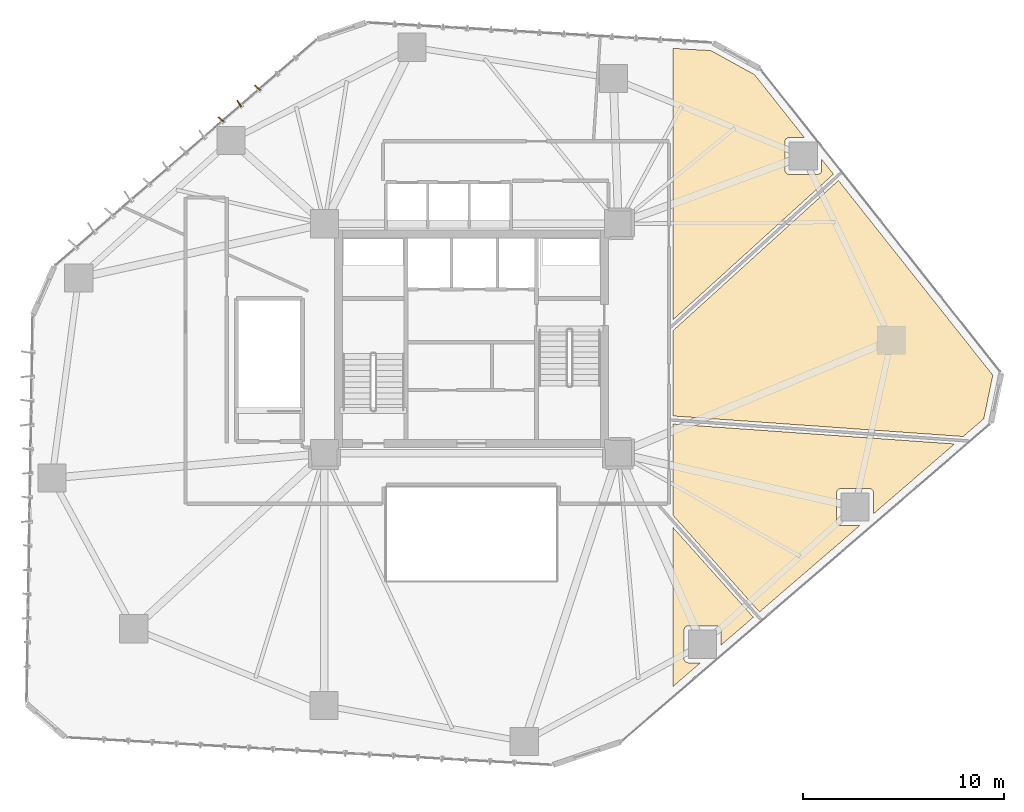
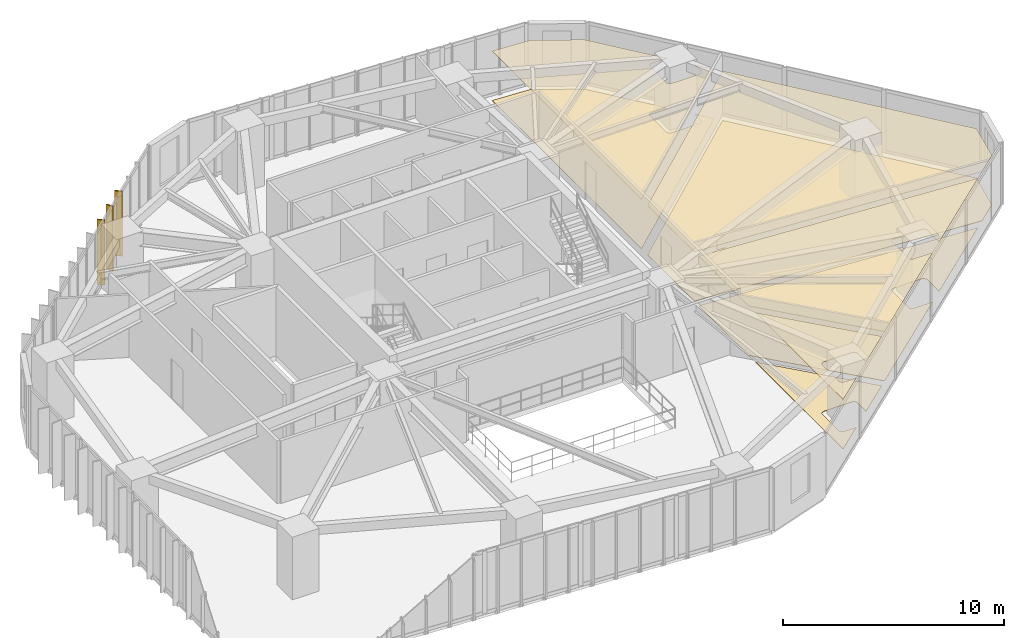
# One storey, part 23 of 24: 8 coverings, 3 shading devices.
"""IFC4 building model written with IfcOpenShell, lengths in metres."""

from ifc_helpers import new_model, si_unit, direction, frame, origin, origin_2d, place, context, subcontext, project, spatial, polyline, rectangle, outline, extrude, source, transform, mapped, material, layer, layer_set, type_object, type_shapes, element, save


model = new_model("IFC4")

# Units and contexts
model_context = context("Model", 3, precision=1e-05, world=origin(), true_north=direction((0.0, 1.0)))
body_context = subcontext(model_context, "Body", "Model", "MODEL_VIEW")
ifc_project = project(units=[si_unit("LENGTHUNIT", "METRE"), si_unit("AREAUNIT", "SQUARE_METRE"), si_unit("VOLUMEUNIT", "CUBIC_METRE"), si_unit("PLANEANGLEUNIT", "RADIAN"), si_unit("MASSUNIT", "GRAM", prefix="KILO")], contexts=[model_context])

# Site, building, storey
site_placement = place(None, origin())
site = spatial("IfcSite", under=ifc_project, at=site_placement, CompositionType="ELEMENT")
building_placement = place(site_placement, origin())
building = spatial("IfcBuilding", under=site, at=building_placement, Name="Talar Marvaseh", CompositionType="ELEMENT")
storey_placement = place(building_placement, frame((0.0, 0.0, 81.0)))
storey = spatial("IfcBuildingStorey", under=building, at=storey_placement, Name="L20", CompositionType="ELEMENT", Elevation=81.0)

# Coverings
ifc_material_1 = material(Name="Mineral Fibre Acoustic Ceiling")
ifc_layer_1 = layer(ifc_material_1, 0.02490234375)
ifc_layer_set_1 = layer_set([ifc_layer_1], Name="Mineral Fibre Acoustic Ceiling")
covering_type_1 = type_object("IfcCoveringType", Name="Perforated Mineral Fibre Acoustic Suspended Ceiling", PredefinedType="CEILING", material=ifc_layer_set_1)
covering_1_placement = place(storey_placement, frame((0.0, 0.0, 2.719970703125)))
element("IfcCovering", 1, at=covering_1_placement, inside=storey, type_object=covering_type_1, Name="L20 Exhibition Gallery Acoustic Ceiling", PredefinedType="CEILING", context=body_context, shape_type="SweptSolid", body=[
    extrude(outline(polyline([(38.383056640625, 15.974609375), (38.383056640625, 16.720947265625), (38.382080078125, 16.73876953125), (38.3798828125, 16.756103515625), (38.3759765625, 16.7734375), (38.37060546875, 16.790283203125), (38.36376953125, 16.806640625), (38.358154296875, 16.818359375), (38.348388671875, 16.836181640625), (38.3369140625, 16.853271484375), (38.32373046875, 16.868896484375), (38.30908203125, 16.88330078125), (38.29296875, 16.89599609375), (38.275634765625, 16.906982421875), (38.25732421875, 16.916015625), (38.238037109375, 16.923095703125), (38.21826171875, 16.928466796875), (38.197998046875, 16.931396484375), (38.177490234375, 16.9326171875), (36.758544921875, 16.9326171875), (36.738037109375, 16.931396484375), (36.7177734375, 16.928466796875), (36.697998046875, 16.923095703125), (36.6787109375, 16.916015625), (36.660400390625, 16.906982421875), (36.64306640625, 16.89599609375), (36.626953125, 16.88330078125), (36.6123046875, 16.868896484375), (36.59912109375, 16.853271484375), (36.58740234375, 16.836181640625), (36.577880859375, 16.818359375), (36.572265625, 16.806640625), (36.5654296875, 16.790283203125), (36.56005859375, 16.773193359375), (36.55615234375, 16.755859375), (36.5537109375, 16.73828125), (36.552978515625, 16.720458984375), (36.556396484375, 15.31103515625), (36.5576171875, 15.29052734375), (36.560791015625, 15.2705078125), (36.56591796875, 15.25048828125), (36.572998046875, 15.2314453125), (36.582275390625, 15.213134765625), (36.59326171875, 15.19580078125), (36.60595703125, 15.1796875), (36.6201171875, 15.1650390625), (36.6357421875, 15.152099609375), (36.652587890625, 15.140380859375), (36.670654296875, 15.130859375), (36.682373046875, 15.125244140625), (36.698486328125, 15.118408203125), (36.715576171875, 15.113037109375), (36.73291015625, 15.109130859375), (36.750244140625, 15.106689453125), (36.76806640625, 15.10595703125), (37.37451171875, 15.10595703125), (36.0, 13.922119140625), (36.0, 21.833984375), (39.997314453125, 17.365234375), (38.383056640625, 15.974609375)])), origin(), (0.0, 0.0, 1.0), 0.025146484375),
])
covering_2_placement = place(storey_placement, frame((0.0, 0.0, 2.719970703125)))
element("IfcCovering", 2, at=covering_2_placement, inside=storey, type_object=covering_type_1, Name="L20 Curatorial Staff Control Room Acoustic Ceiling", PredefinedType="CEILING", context=body_context, shape_type="SweptSolid", body=[
    extrude(outline(polyline([(49.985107421875, 25.96875), (45.955810546875, 22.497802734375), (45.958984375, 23.541015625), (45.9580078125, 23.5595703125), (45.95556640625, 23.577880859375), (45.951416015625, 23.595947265625), (45.9453125, 23.61376953125), (45.93798828125, 23.630615234375), (45.9287109375, 23.64697265625), (45.918212890625, 23.662353515625), (45.906494140625, 23.676513671875), (45.893310546875, 23.689697265625), (45.87841796875, 23.703125), (45.864013671875, 23.715087890625), (45.848876953125, 23.725341796875), (45.83251953125, 23.734375), (45.815673828125, 23.74169921875), (45.798095703125, 23.74755859375), (45.780029296875, 23.751708984375), (45.76171875, 23.754150390625), (45.743408203125, 23.7548828125), (44.332763671875, 23.75048828125), (44.313232421875, 23.74951171875), (44.293701171875, 23.74658203125), (44.27490234375, 23.74169921875), (44.25634765625, 23.735107421875), (44.23876953125, 23.726806640625), (44.221923828125, 23.716796875), (44.206298828125, 23.705078125), (44.19189453125, 23.69189453125), (44.1787109375, 23.67724609375), (44.1669921875, 23.66162109375), (44.156982421875, 23.644775390625), (44.148681640625, 23.626953125), (44.14208984375, 23.6083984375), (44.13720703125, 23.589599609375), (44.134521484375, 23.5703125), (44.13330078125, 23.550537109375), (44.13330078125, 22.12939453125), (44.134521484375, 22.10986328125), (44.13720703125, 22.09033203125), (44.14208984375, 22.0712890625), (44.148681640625, 22.052978515625), (44.156982421875, 22.03515625), (44.1669921875, 22.018310546875), (44.1787109375, 22.00244140625), (44.19189453125, 21.988037109375), (44.20654296875, 21.974853515625), (44.222412109375, 21.963134765625), (44.239013671875, 21.952880859375), (44.2568359375, 21.944580078125), (44.275390625, 21.93798828125), (44.29443359375, 21.93310546875), (44.313720703125, 21.930419921875), (44.33349609375, 21.929443359375), (45.2958984375, 21.929443359375), (40.300537109375, 17.62646484375), (36.0, 22.43408203125), (36.0, 23.0), (36.0, 26.95947265625), (49.985107421875, 25.96875)])), origin(), (0.0, 0.0, 1.0), 0.025146484375),
])
covering_3_placement = place(storey_placement, frame((0.0, 0.0, 2.719970703125)))
element("IfcCovering", 3, at=covering_3_placement, inside=storey, type_object=covering_type_1, Name="L20 Main Reading Room Acoustic Ceiling", PredefinedType="CEILING", context=body_context, shape_type="SweptSolid", body=[
    extrude(outline(polyline([(36.0, 27.3603515625), (36.0, 31.58740234375), (44.22119140625, 39.051025390625), (51.884521484375, 29.383544921875), (51.4375, 27.2197265625), (50.415283203125, 26.339111328125), (36.0, 27.3603515625)])), origin(), (0.0, 0.0, 1.0), 0.025146484375),
])
covering_4_placement = place(storey_placement, frame((0.0, 0.0, 2.719970703125)))
element("IfcCovering", 4, at=covering_4_placement, inside=storey, type_object=covering_type_1, Name="L20 Registrar Mail and Post Room Acoustic Ceiling", PredefinedType="CEILING", context=body_context, shape_type="SweptSolid", body=[
    extrude(outline(polyline([(40.057373046875, 44.3037109375), (42.5302734375, 41.18408203125), (41.777099609375, 41.18408203125), (41.75927734375, 41.18310546875), (41.74169921875, 41.180908203125), (41.724609375, 41.177001953125), (41.70751953125, 41.171630859375), (41.69140625, 41.164794921875), (41.6796875, 41.1591796875), (41.66162109375, 41.1494140625), (41.644775390625, 41.137939453125), (41.62890625, 41.124755859375), (41.61474609375, 41.110107421875), (41.60205078125, 41.093994140625), (41.591064453125, 41.076416015625), (41.58203125, 41.05810546875), (41.57470703125, 41.0390625), (41.569580078125, 41.01904296875), (41.56640625, 40.998779296875), (41.5654296875, 40.978515625), (41.56640625, 39.558349609375), (41.5673828125, 39.538818359375), (41.5703125, 39.519287109375), (41.574951171875, 39.500244140625), (41.581787109375, 39.481689453125), (41.590087890625, 39.464111328125), (41.60009765625, 39.447265625), (41.61181640625, 39.431396484375), (41.625, 39.4169921875), (41.639404296875, 39.40380859375), (41.6552734375, 39.39208984375), (41.672119140625, 39.382080078125), (41.689697265625, 39.373779296875), (41.708251953125, 39.366943359375), (41.727294921875, 39.3623046875), (41.74658203125, 39.359375), (41.766357421875, 39.3583984375), (43.186279296875, 39.357421875), (43.206787109375, 39.3583984375), (43.22705078125, 39.361572265625), (43.2470703125, 39.36669921875), (43.26611328125, 39.3740234375), (43.284423828125, 39.383056640625), (43.302001953125, 39.39404296875), (43.318115234375, 39.40673828125), (43.332763671875, 39.4208984375), (43.345947265625, 39.436767578125), (43.357421875, 39.45361328125), (43.3671875, 39.4716796875), (43.372802734375, 39.4833984375), (43.379638671875, 39.49951171875), (43.385009765625, 39.5166015625), (43.388916015625, 39.53369140625), (43.39111328125, 39.55126953125), (43.39208984375, 39.569091796875), (43.39208984375, 40.096923828125), (43.97216796875, 39.364990234375), (36.0, 32.127685546875), (36.0, 41.0), (36.0, 45.60986328125), (37.8876953125, 45.50048828125), (40.057373046875, 44.3037109375)])), origin(), (0.0, 0.0, 1.0), 0.025146484375),
])
ifc_material_2 = material(Name="Porcelain Stoneware Tile", Category="masonry")
ifc_layer_2 = layer(ifc_material_2, 0.02001953125)
ifc_layer_set_2 = layer_set([ifc_layer_2], Name="Porcelain Stoneware Tile")
covering_type_2 = type_object("IfcCoveringType", Name="Polished Porcelain Stoneware Gallery Flooring", PredefinedType="FLOORING", material=ifc_layer_set_2)
covering_5_placement = place(storey_placement, origin())
element("IfcCovering", 5, at=covering_5_placement, inside=storey, type_object=covering_type_2, Name="L20 Exhibition Gallery Flooring", PredefinedType="FLOORING", context=body_context, shape_type="SweptSolid", body=[
    extrude(outline(polyline([(38.383056640625, 15.974609375), (38.383056640625, 16.720947265625), (38.382080078125, 16.73876953125), (38.3798828125, 16.756103515625), (38.3759765625, 16.7734375), (38.37060546875, 16.790283203125), (38.36376953125, 16.806640625), (38.358154296875, 16.818359375), (38.348388671875, 16.836181640625), (38.3369140625, 16.853271484375), (38.32373046875, 16.868896484375), (38.30908203125, 16.88330078125), (38.29296875, 16.89599609375), (38.275634765625, 16.906982421875), (38.25732421875, 16.916015625), (38.238037109375, 16.923095703125), (38.21826171875, 16.928466796875), (38.197998046875, 16.931396484375), (38.177490234375, 16.9326171875), (36.758544921875, 16.9326171875), (36.738037109375, 16.931396484375), (36.7177734375, 16.928466796875), (36.697998046875, 16.923095703125), (36.6787109375, 16.916015625), (36.660400390625, 16.906982421875), (36.64306640625, 16.89599609375), (36.626953125, 16.88330078125), (36.6123046875, 16.868896484375), (36.59912109375, 16.853271484375), (36.58740234375, 16.836181640625), (36.577880859375, 16.818359375), (36.572265625, 16.806640625), (36.5654296875, 16.790283203125), (36.56005859375, 16.773193359375), (36.55615234375, 16.755859375), (36.5537109375, 16.73828125), (36.552978515625, 16.720458984375), (36.556396484375, 15.31103515625), (36.5576171875, 15.29052734375), (36.560791015625, 15.2705078125), (36.56591796875, 15.25048828125), (36.572998046875, 15.2314453125), (36.582275390625, 15.213134765625), (36.59326171875, 15.19580078125), (36.60595703125, 15.1796875), (36.6201171875, 15.1650390625), (36.6357421875, 15.152099609375), (36.652587890625, 15.140380859375), (36.670654296875, 15.130859375), (36.682373046875, 15.125244140625), (36.698486328125, 15.118408203125), (36.715576171875, 15.113037109375), (36.73291015625, 15.109130859375), (36.750244140625, 15.106689453125), (36.76806640625, 15.10595703125), (37.37451171875, 15.10595703125), (36.0, 13.922119140625), (36.0, 21.833984375), (39.997314453125, 17.365234375), (38.383056640625, 15.974609375)])), origin(), (0.0, 0.0, 1.0), 0.02001953125),
])
covering_6_placement = place(storey_placement, origin())
element("IfcCovering", 6, at=covering_6_placement, inside=storey, type_object=covering_type_2, Name="L20 Curatorial Staff Control Room Flooring", PredefinedType="FLOORING", context=body_context, shape_type="SweptSolid", body=[
    extrude(outline(polyline([(49.985107421875, 25.96875), (45.955810546875, 22.497802734375), (45.958984375, 23.541015625), (45.9580078125, 23.5595703125), (45.95556640625, 23.577880859375), (45.951416015625, 23.595947265625), (45.9453125, 23.61376953125), (45.93798828125, 23.630615234375), (45.9287109375, 23.64697265625), (45.918212890625, 23.662353515625), (45.906494140625, 23.676513671875), (45.893310546875, 23.689697265625), (45.87841796875, 23.703125), (45.864013671875, 23.715087890625), (45.848876953125, 23.725341796875), (45.83251953125, 23.734375), (45.815673828125, 23.74169921875), (45.798095703125, 23.74755859375), (45.780029296875, 23.751708984375), (45.76171875, 23.754150390625), (45.743408203125, 23.7548828125), (44.332763671875, 23.75048828125), (44.313232421875, 23.74951171875), (44.293701171875, 23.74658203125), (44.27490234375, 23.74169921875), (44.25634765625, 23.735107421875), (44.23876953125, 23.726806640625), (44.221923828125, 23.716796875), (44.206298828125, 23.705078125), (44.19189453125, 23.69189453125), (44.1787109375, 23.67724609375), (44.1669921875, 23.66162109375), (44.156982421875, 23.644775390625), (44.148681640625, 23.626953125), (44.14208984375, 23.6083984375), (44.13720703125, 23.589599609375), (44.134521484375, 23.5703125), (44.13330078125, 23.550537109375), (44.13330078125, 22.12939453125), (44.134521484375, 22.10986328125), (44.13720703125, 22.09033203125), (44.14208984375, 22.0712890625), (44.148681640625, 22.052978515625), (44.156982421875, 22.03515625), (44.1669921875, 22.018310546875), (44.1787109375, 22.00244140625), (44.19189453125, 21.988037109375), (44.20654296875, 21.974853515625), (44.222412109375, 21.963134765625), (44.239013671875, 21.952880859375), (44.2568359375, 21.944580078125), (44.275390625, 21.93798828125), (44.29443359375, 21.93310546875), (44.313720703125, 21.930419921875), (44.33349609375, 21.929443359375), (45.2958984375, 21.929443359375), (40.300537109375, 17.62646484375), (36.0, 22.43408203125), (36.0, 23.0), (36.0, 26.95947265625), (49.985107421875, 25.96875)])), origin(), (0.0, 0.0, 1.0), 0.02001953125),
])
covering_7_placement = place(storey_placement, origin())
element("IfcCovering", 7, at=covering_7_placement, inside=storey, type_object=covering_type_2, Name="L20 Main Reading Room Flooring", PredefinedType="FLOORING", context=body_context, shape_type="SweptSolid", body=[
    extrude(outline(polyline([(36.0, 27.3603515625), (36.0, 31.58740234375), (44.22119140625, 39.051025390625), (51.884521484375, 29.383544921875), (51.4375, 27.2197265625), (50.415283203125, 26.339111328125), (36.0, 27.3603515625)])), origin(), (0.0, 0.0, 1.0), 0.02001953125),
])
covering_8_placement = place(storey_placement, origin())
element("IfcCovering", 8, at=covering_8_placement, inside=storey, type_object=covering_type_2, Name="L20 Registrar Mail and Post Room Flooring", PredefinedType="FLOORING", context=body_context, shape_type="SweptSolid", body=[
    extrude(outline(polyline([(40.057373046875, 44.3037109375), (42.5302734375, 41.18408203125), (41.777099609375, 41.18408203125), (41.75927734375, 41.18310546875), (41.74169921875, 41.180908203125), (41.724609375, 41.177001953125), (41.70751953125, 41.171630859375), (41.69140625, 41.164794921875), (41.6796875, 41.1591796875), (41.66162109375, 41.1494140625), (41.644775390625, 41.137939453125), (41.62890625, 41.124755859375), (41.61474609375, 41.110107421875), (41.60205078125, 41.093994140625), (41.591064453125, 41.076416015625), (41.58203125, 41.05810546875), (41.57470703125, 41.0390625), (41.569580078125, 41.01904296875), (41.56640625, 40.998779296875), (41.5654296875, 40.978515625), (41.56640625, 39.558349609375), (41.5673828125, 39.538818359375), (41.5703125, 39.519287109375), (41.574951171875, 39.500244140625), (41.581787109375, 39.481689453125), (41.590087890625, 39.464111328125), (41.60009765625, 39.447265625), (41.61181640625, 39.431396484375), (41.625, 39.4169921875), (41.639404296875, 39.40380859375), (41.6552734375, 39.39208984375), (41.672119140625, 39.382080078125), (41.689697265625, 39.373779296875), (41.708251953125, 39.366943359375), (41.727294921875, 39.3623046875), (41.74658203125, 39.359375), (41.766357421875, 39.3583984375), (43.186279296875, 39.357421875), (43.206787109375, 39.3583984375), (43.22705078125, 39.361572265625), (43.2470703125, 39.36669921875), (43.26611328125, 39.3740234375), (43.284423828125, 39.383056640625), (43.302001953125, 39.39404296875), (43.318115234375, 39.40673828125), (43.332763671875, 39.4208984375), (43.345947265625, 39.436767578125), (43.357421875, 39.45361328125), (43.3671875, 39.4716796875), (43.372802734375, 39.4833984375), (43.379638671875, 39.49951171875), (43.385009765625, 39.5166015625), (43.388916015625, 39.53369140625), (43.39111328125, 39.55126953125), (43.39208984375, 39.569091796875), (43.39208984375, 40.096923828125), (43.97216796875, 39.364990234375), (36.0, 32.127685546875), (36.0, 41.0), (36.0, 45.60986328125), (37.8876953125, 45.50048828125), (40.057373046875, 44.3037109375)])), origin(), (0.0, 0.0, 1.0), 0.02001953125),
])

# Shading devices
ifc_material_3 = material(Name="Anodised Champagne Bronze Aluminium", Category="aluminium")
ifc_layer_3 = layer(ifc_material_3, 0.06494140625)
ifc_layer_set_3 = layer_set([ifc_layer_3], Name="Anodised Champagne Bronze Aluminium")
shading_device_type = type_object("IfcShadingDeviceType", Name="Sawtooth Champagne Bronze Vertical Fin 360", PredefinedType="USERDEFINED", material=ifc_layer_set_3)
shared_shape = source(origin(), body_context, "Body", "SweptSolid", [
    extrude(rectangle(XDim=0.360107421875, YDim=0.06494140625, at=origin_2d()), origin(), (0.0, 0.0, 1.0), 3.570068359375),
])
type_shapes(shading_device_type, [shared_shape])
for number, where, z_axis, x_axis, name in (
    (9, (13.565185546875, 42.081298828125, -0.1201171875), (0.0, 0.0, 1.0), (-0.752644789048, 0.658426777644, 0.0), "L20 Sawtooth Vertical Solar Fin"),
    (10, (14.473388671875, 42.86572265625, -0.1201171875), (0.0, 0.0, 1.0), (-0.54200159037, 0.840377460452, 0.0), "L20 Sawtooth Vertical Solar Fin"),
    (11, (15.381591796875, 43.650146484375, -0.1201171875), (0.0, 0.0, 1.0), (-0.752644789048, 0.658426777644, 0.0), "L20 Sawtooth Vertical Solar Fin"),
):
    element("IfcShadingDevice", number, at=place(storey_placement, frame(where, z_axis=z_axis, x_axis=x_axis)), inside=storey, type_object=shading_device_type, Name=name, ObjectType="FIN", PredefinedType="USERDEFINED", context=body_context, shape_type="MappedRepresentation", body=[
        mapped(shared_shape, transform((0.0, 0.0, 0.0), x_axis=(1.0, 0.0, 0.0), y_axis=(0.0, 1.0, 0.0), z_axis=(0.0, 0.0, 1.0), scale=1.0)),
    ])

save(model, "model.ifc")
